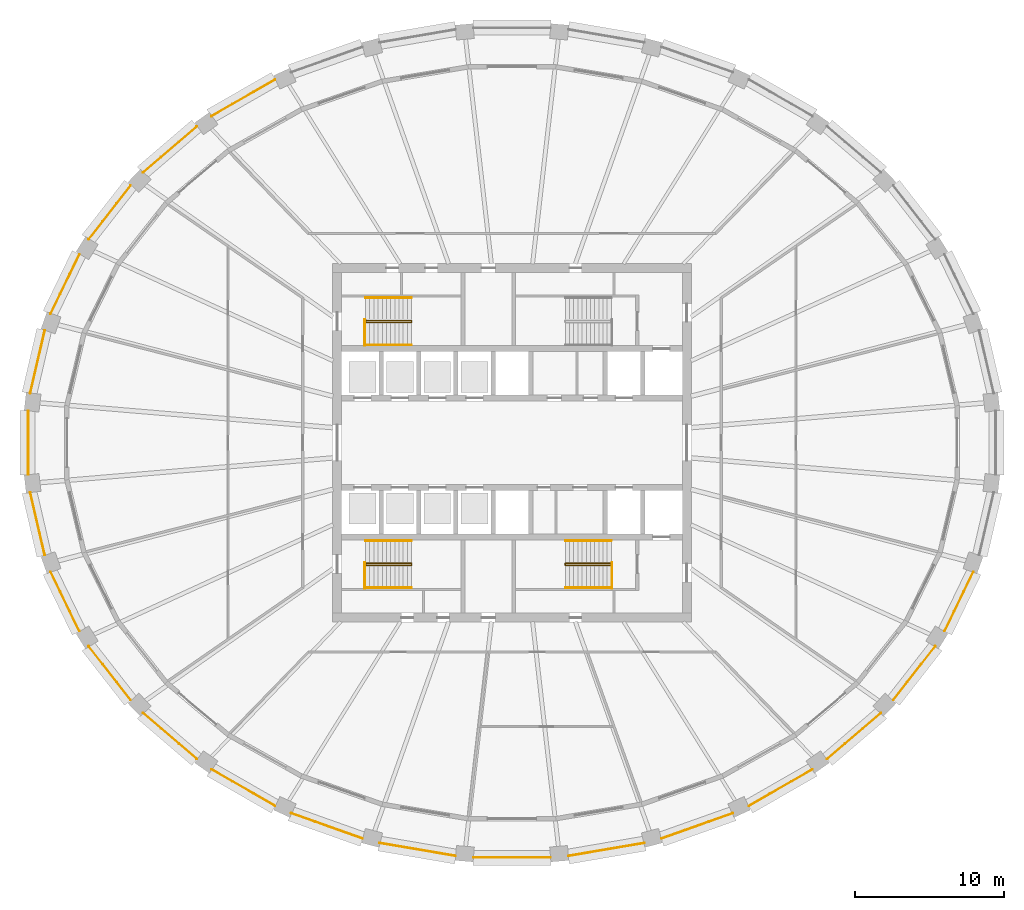
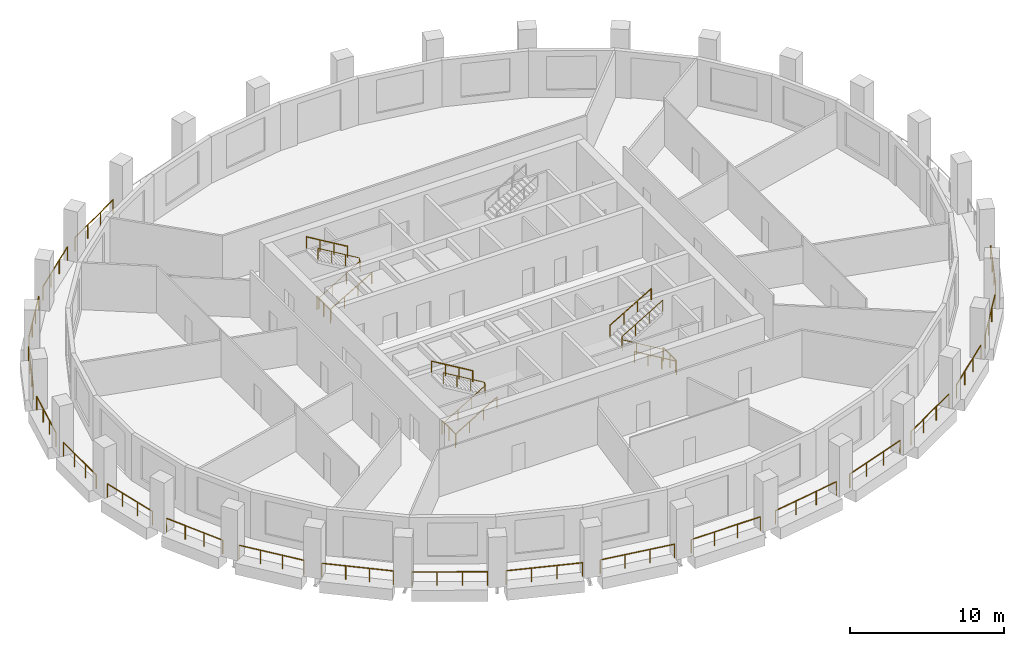
# One storey, part 8 of 10: 32 railings.
"""IFC4 building model written with IfcOpenShell, lengths in metres."""

from ifc_helpers import new_model, si_unit, direction, frame, origin, origin_2d, place, context, subcontext, project, spatial, circle, extrude, material, type_object, element, save


model = new_model("IFC4")

# Units and contexts
model_context = context("Model", 3, precision=1e-05, world=origin(), true_north=direction((0.0, 1.0)))
body_context = subcontext(model_context, "Body", "Model", "MODEL_VIEW")
ifc_project = project(units=[si_unit("LENGTHUNIT", "METRE"), si_unit("AREAUNIT", "SQUARE_METRE"), si_unit("VOLUMEUNIT", "CUBIC_METRE"), si_unit("PLANEANGLEUNIT", "RADIAN"), si_unit("MASSUNIT", "GRAM", prefix="KILO")], contexts=[model_context])

# Site, building, storey
site_placement = place(None, origin())
site = spatial("IfcSite", under=ifc_project, at=site_placement, CompositionType="ELEMENT")
building_placement = place(site_placement, origin())
building = spatial("IfcBuilding", under=site, at=building_placement, Name="Halqa Exchange Tower", CompositionType="ELEMENT")
storey_placement = place(building_placement, frame((0.0, 0.0, 198.89990234375)))
storey = spatial("IfcBuildingStorey", under=building, at=storey_placement, Name="L45", CompositionType="ELEMENT", Elevation=198.89990234375)

# Railings
ifc_material = material(Name="Stainless steel", Category="steel")
railing_type_1 = type_object("IfcRailingType", Name="Guard 1100 stainless steel", PredefinedType="GUARDRAIL", material=ifc_material)
railing_1_placement = place(storey_placement, frame((-15.856201171875, 24.293701171875, 0.0)))
element("IfcRailing", 1, at=railing_1_placement, inside=storey, type_object=railing_type_1, Name="Loggia guard 11", PredefinedType="GUARDRAIL", context=body_context, shape_type="SweptSolid", body=[
    extrude(circle(Radius=0.02392578125, at=origin_2d()), frame((0.0, 0.0, 1.076171875), z_axis=(-0.867753174329, -0.496995400825, 0.0), x_axis=(0.496995400825, -0.867753174329, 0.0)), (0.0, 0.0, 1.0), 4.910400390625),
    extrude(circle(Radius=0.02099609375, at=origin_2d()), origin(), (0.0, 0.0, 1.0), 1.052001953125),
    extrude(circle(Radius=0.02099609375, at=origin_2d()), frame((-1.42041015625, -0.8134765625, 0.0)), (0.0, 0.0, 1.0), 1.052001953125),
    extrude(circle(Radius=0.02099609375, at=origin_2d()), frame((-2.840576171875, -1.626953125, 0.0)), (0.0, 0.0, 1.0), 1.052001953125),
    extrude(circle(Radius=0.02099609375, at=origin_2d()), frame((-4.260986328125, -2.4404296875, 0.0)), (0.0, 0.0, 1.0), 1.052001953125),
])
railing_2_placement = place(storey_placement, frame((-21.093505859375, 21.16455078125, 0.0)))
element("IfcRailing", 2, at=railing_2_placement, inside=storey, type_object=railing_type_1, Name="Loggia guard 12", PredefinedType="GUARDRAIL", context=body_context, shape_type="SweptSolid", body=[
    extrude(circle(Radius=0.02392578125, at=origin_2d()), frame((0.0, 0.0, 1.076171875), z_axis=(-0.759242057483, -0.650808342102, 0.0), x_axis=(0.650808342102, -0.759242057483, 0.0)), (0.0, 0.0, 1.0), 4.739501953125),
    extrude(circle(Radius=0.02099609375, at=origin_2d()), origin(), (0.0, 0.0, 1.0), 1.052001953125),
    extrude(circle(Radius=0.02099609375, at=origin_2d()), frame((-1.199462890625, -1.028076171875, 0.0)), (0.0, 0.0, 1.0), 1.052001953125),
    extrude(circle(Radius=0.02099609375, at=origin_2d()), frame((-2.39892578125, -2.056396484375, 0.0)), (0.0, 0.0, 1.0), 1.052001953125),
    extrude(circle(Radius=0.02099609375, at=origin_2d()), frame((-3.598388671875, -3.08447265625, 0.0)), (0.0, 0.0, 1.0), 1.052001953125),
])
railing_3_placement = place(storey_placement, frame((-25.516357421875, 17.216552734375, 0.0)))
element("IfcRailing", 3, at=railing_3_placement, inside=storey, type_object=railing_type_1, Name="Loggia guard 13", PredefinedType="GUARDRAIL", context=body_context, shape_type="SweptSolid", body=[
    extrude(circle(Radius=0.02392578125, at=origin_2d()), frame((0.0, 0.0, 1.076171875), z_axis=(-0.614792247558, -0.78868909739, 0.0), x_axis=(0.78868909739, -0.614792247558, 0.0)), (0.0, 0.0, 1.0), 4.562744140625),
    extrude(circle(Radius=0.02099609375, at=origin_2d()), origin(), (0.0, 0.0, 1.0), 1.052001953125),
    extrude(circle(Radius=0.02099609375, at=origin_2d()), frame((-0.93505859375, -1.199462890625, 0.0)), (0.0, 0.0, 1.0), 1.052001953125),
    extrude(circle(Radius=0.02099609375, at=origin_2d()), frame((-1.8701171875, -2.399169921875, 0.0)), (0.0, 0.0, 1.0), 1.052001953125),
    extrude(circle(Radius=0.02099609375, at=origin_2d()), frame((-2.80517578125, -3.5986328125, 0.0)), (0.0, 0.0, 1.0), 1.052001953125),
])
railing_4_placement = place(storey_placement, frame((-28.95166015625, 12.6044921875, 0.0)))
element("IfcRailing", 4, at=railing_4_placement, inside=storey, type_object=railing_type_1, Name="Loggia guard 14", PredefinedType="GUARDRAIL", context=body_context, shape_type="SweptSolid", body=[
    extrude(circle(Radius=0.02392578125, at=origin_2d()), frame((0.0, 0.0, 1.076171875), z_axis=(-0.43510207999, -0.900381130404, 0.0), x_axis=(0.900381130404, -0.43510207999, 0.0)), (0.0, 0.0, 1.0), 4.4091796875),
    extrude(circle(Radius=0.02099609375, at=origin_2d()), origin(), (0.0, 0.0, 1.0), 1.052001953125),
    extrude(circle(Radius=0.02099609375, at=origin_2d()), frame((-0.639404296875, -1.3232421875, 0.0)), (0.0, 0.0, 1.0), 1.052001953125),
    extrude(circle(Radius=0.02099609375, at=origin_2d()), frame((-1.279052734375, -2.646728515625, 0.0)), (0.0, 0.0, 1.0), 1.052001953125),
    extrude(circle(Radius=0.02099609375, at=origin_2d()), frame((-1.91845703125, -3.969970703125, 0.0)), (0.0, 0.0, 1.0), 1.052001953125),
])
railing_5_placement = place(storey_placement, frame((-31.2666015625, 7.510009765625, 0.0)))
element("IfcRailing", 5, at=railing_5_placement, inside=storey, type_object=railing_type_1, Name="Loggia guard 15", PredefinedType="GUARDRAIL", context=body_context, shape_type="SweptSolid", body=[
    extrude(circle(Radius=0.02392578125, at=origin_2d()), frame((0.0, 0.0, 1.076171875), z_axis=(-0.226056656747, -0.974114155497, 0.0), x_axis=(0.974114155497, -0.226056656747, 0.0)), (0.0, 0.0, 1.0), 4.3037109375),
    extrude(circle(Radius=0.02099609375, at=origin_2d()), origin(), (0.0, 0.0, 1.0), 1.052001953125),
    extrude(circle(Radius=0.02099609375, at=origin_2d()), frame((-0.32421875, -1.3974609375, 0.0)), (0.0, 0.0, 1.0), 1.052001953125),
    extrude(circle(Radius=0.02099609375, at=origin_2d()), frame((-0.648681640625, -2.794921875, 0.0)), (0.0, 0.0, 1.0), 1.052001953125),
    extrude(circle(Radius=0.02099609375, at=origin_2d()), frame((-0.972900390625, -4.1923828125, 0.0)), (0.0, 0.0, 1.0), 1.052001953125),
])
railing_6_placement = place(storey_placement, frame((-32.375244140625, 2.13330078125, 0.0)))
element("IfcRailing", 6, at=railing_6_placement, inside=storey, type_object=railing_type_1, Name="Loggia guard 16", PredefinedType="GUARDRAIL", context=body_context, shape_type="SweptSolid", body=[
    extrude(circle(Radius=0.02392578125, at=origin_2d()), frame((0.0, 0.0, 1.076171875), z_axis=(0.0, -1.0, 0.0), x_axis=(1.0, 0.0, 0.0)), (0.0, 0.0, 1.0), 4.2666015625),
    extrude(circle(Radius=0.02099609375, at=origin_2d()), origin(), (0.0, 0.0, 1.0), 1.052001953125),
    extrude(circle(Radius=0.02099609375, at=origin_2d()), frame((0.0, -1.422119140625, 0.0)), (0.0, 0.0, 1.0), 1.052001953125),
    extrude(circle(Radius=0.02099609375, at=origin_2d()), frame((0.0, -2.844482421875, 0.0)), (0.0, 0.0, 1.0), 1.052001953125),
    extrude(circle(Radius=0.02099609375, at=origin_2d()), frame((0.0, -4.2666015625, 0.0)), (0.0, 0.0, 1.0), 1.052001953125),
])
railing_7_placement = place(storey_placement, frame((-32.239501953125, -3.317626953125, 0.0)))
element("IfcRailing", 7, at=railing_7_placement, inside=storey, type_object=railing_type_1, Name="Loggia guard 17", PredefinedType="GUARDRAIL", context=body_context, shape_type="SweptSolid", body=[
    extrude(circle(Radius=0.02392578125, at=origin_2d()), frame((0.0, 0.0, 1.076171875), z_axis=(0.226056656747, -0.974114155497, 0.0), x_axis=(0.974114155497, 0.226056656747, 0.0)), (0.0, 0.0, 1.0), 4.3037109375),
    extrude(circle(Radius=0.02099609375, at=origin_2d()), origin(), (0.0, 0.0, 1.0), 1.052001953125),
    extrude(circle(Radius=0.02099609375, at=origin_2d()), frame((0.32421875, -1.3974609375, 0.0)), (0.0, 0.0, 1.0), 1.052001953125),
    extrude(circle(Radius=0.02099609375, at=origin_2d()), frame((0.648681640625, -2.794921875, 0.0)), (0.0, 0.0, 1.0), 1.052001953125),
    extrude(circle(Radius=0.02099609375, at=origin_2d()), frame((0.972900390625, -4.1923828125, 0.0)), (0.0, 0.0, 1.0), 1.052001953125),
])
railing_8_placement = place(storey_placement, frame((-30.8701171875, -8.634521484375, 0.0)))
element("IfcRailing", 8, at=railing_8_placement, inside=storey, type_object=railing_type_1, Name="Loggia guard 18", PredefinedType="GUARDRAIL", context=body_context, shape_type="SweptSolid", body=[
    extrude(circle(Radius=0.02392578125, at=origin_2d()), frame((0.0, 0.0, 1.076171875), z_axis=(0.43510207999, -0.900381130404, 0.0), x_axis=(0.900381130404, 0.43510207999, 0.0)), (0.0, 0.0, 1.0), 4.4091796875),
    extrude(circle(Radius=0.02099609375, at=origin_2d()), origin(), (0.0, 0.0, 1.0), 1.052001953125),
    extrude(circle(Radius=0.02099609375, at=origin_2d()), frame((0.639404296875, -1.3232421875, 0.0)), (0.0, 0.0, 1.0), 1.052001953125),
    extrude(circle(Radius=0.02099609375, at=origin_2d()), frame((1.279052734375, -2.646728515625, 0.0)), (0.0, 0.0, 1.0), 1.052001953125),
    extrude(circle(Radius=0.02099609375, at=origin_2d()), frame((1.91845703125, -3.969970703125, 0.0)), (0.0, 0.0, 1.0), 1.052001953125),
])
railing_9_placement = place(storey_placement, frame((-28.321533203125, -13.617919921875, 0.0)))
element("IfcRailing", 9, at=railing_9_placement, inside=storey, type_object=railing_type_1, Name="Loggia guard 19", PredefinedType="GUARDRAIL", context=body_context, shape_type="SweptSolid", body=[
    extrude(circle(Radius=0.02392578125, at=origin_2d()), frame((0.0, 0.0, 1.076171875), z_axis=(0.614792247558, -0.78868909739, 0.0), x_axis=(0.78868909739, 0.614792247558, 0.0)), (0.0, 0.0, 1.0), 4.562744140625),
    extrude(circle(Radius=0.02099609375, at=origin_2d()), origin(), (0.0, 0.0, 1.0), 1.052001953125),
    extrude(circle(Radius=0.02099609375, at=origin_2d()), frame((0.93505859375, -1.199462890625, 0.0)), (0.0, 0.0, 1.0), 1.052001953125),
    extrude(circle(Radius=0.02099609375, at=origin_2d()), frame((1.8701171875, -2.399169921875, 0.0)), (0.0, 0.0, 1.0), 1.052001953125),
    extrude(circle(Radius=0.02099609375, at=origin_2d()), frame((2.80517578125, -3.5986328125, 0.0)), (0.0, 0.0, 1.0), 1.052001953125),
])
railing_10_placement = place(storey_placement, frame((-24.69189453125, -18.080078125, 0.0)))
element("IfcRailing", 10, at=railing_10_placement, inside=storey, type_object=railing_type_1, Name="Loggia guard 20", PredefinedType="GUARDRAIL", context=body_context, shape_type="SweptSolid", body=[
    extrude(circle(Radius=0.02392578125, at=origin_2d()), frame((0.0, 0.0, 1.076171875), z_axis=(0.759242057483, -0.650808342102, 0.0), x_axis=(0.650808342102, 0.759242057483, 0.0)), (0.0, 0.0, 1.0), 4.739501953125),
    extrude(circle(Radius=0.02099609375, at=origin_2d()), origin(), (0.0, 0.0, 1.0), 1.052001953125),
    extrude(circle(Radius=0.02099609375, at=origin_2d()), frame((1.199462890625, -1.028076171875, 0.0)), (0.0, 0.0, 1.0), 1.052001953125),
    extrude(circle(Radius=0.02099609375, at=origin_2d()), frame((2.39892578125, -2.056396484375, 0.0)), (0.0, 0.0, 1.0), 1.052001953125),
    extrude(circle(Radius=0.02099609375, at=origin_2d()), frame((3.598388671875, -3.08447265625, 0.0)), (0.0, 0.0, 1.0), 1.052001953125),
])
railing_11_placement = place(storey_placement, frame((-20.1171875, -21.853271484375, 0.0)))
element("IfcRailing", 11, at=railing_11_placement, inside=storey, type_object=railing_type_1, Name="Loggia guard 21", PredefinedType="GUARDRAIL", context=body_context, shape_type="SweptSolid", body=[
    extrude(circle(Radius=0.02392578125, at=origin_2d()), frame((0.0, 0.0, 1.076171875), z_axis=(0.867753174329, -0.496995400825, 0.0), x_axis=(0.496995400825, 0.867753174329, 0.0)), (0.0, 0.0, 1.0), 4.910400390625),
    extrude(circle(Radius=0.02099609375, at=origin_2d()), origin(), (0.0, 0.0, 1.0), 1.052001953125),
    extrude(circle(Radius=0.02099609375, at=origin_2d()), frame((1.42041015625, -0.8134765625, 0.0)), (0.0, 0.0, 1.0), 1.052001953125),
    extrude(circle(Radius=0.02099609375, at=origin_2d()), frame((2.840576171875, -1.626953125, 0.0)), (0.0, 0.0, 1.0), 1.052001953125),
    extrude(circle(Radius=0.02099609375, at=origin_2d()), frame((4.260986328125, -2.4404296875, 0.0)), (0.0, 0.0, 1.0), 1.052001953125),
])
railing_12_placement = place(storey_placement, frame((-14.77001953125, -24.792724609375, 0.0)))
element("IfcRailing", 12, at=railing_12_placement, inside=storey, type_object=railing_type_1, Name="Loggia guard 22", PredefinedType="GUARDRAIL", context=body_context, shape_type="SweptSolid", body=[
    extrude(circle(Radius=0.02392578125, at=origin_2d()), frame((0.0, 0.0, 1.076171875), z_axis=(0.942362387643, -0.334593978362, 0.0), x_axis=(0.334593978362, 0.942362387643, 0.0)), (0.0, 0.0, 1.0), 5.05224609375),
    extrude(circle(Radius=0.02099609375, at=origin_2d()), origin(), (0.0, 0.0, 1.0), 1.052001953125),
    extrude(circle(Radius=0.02099609375, at=origin_2d()), frame((1.5869140625, -0.5634765625, 0.0)), (0.0, 0.0, 1.0), 1.052001953125),
    extrude(circle(Radius=0.02099609375, at=origin_2d()), frame((3.174072265625, -1.126953125, 0.0)), (0.0, 0.0, 1.0), 1.052001953125),
    extrude(circle(Radius=0.02099609375, at=origin_2d()), frame((4.760986328125, -1.6904296875, 0.0)), (0.0, 0.0, 1.0), 1.052001953125),
])
railing_13_placement = place(storey_placement, frame((-8.85205078125, -26.78466796875, 0.0)))
element("IfcRailing", 13, at=railing_13_placement, inside=storey, type_object=railing_type_1, Name="Loggia guard 23", PredefinedType="GUARDRAIL", context=body_context, shape_type="SweptSolid", body=[
    extrude(circle(Radius=0.02392578125, at=origin_2d()), frame((0.0, 0.0, 1.076171875), z_axis=(0.985774033556, -0.168076038647, 0.0), x_axis=(0.168076038647, 0.985774033556, 0.0)), (0.0, 0.0, 1.0), 5.14501953125),
    extrude(circle(Radius=0.02099609375, at=origin_2d()), origin(), (0.0, 0.0, 1.0), 1.052001953125),
    extrude(circle(Radius=0.02099609375, at=origin_2d()), frame((1.690673828125, -0.288330078125, 0.0)), (0.0, 0.0, 1.0), 1.052001953125),
    extrude(circle(Radius=0.02099609375, at=origin_2d()), frame((3.381103515625, -0.576416015625, 0.0)), (0.0, 0.0, 1.0), 1.052001953125),
    extrude(circle(Radius=0.02099609375, at=origin_2d()), frame((5.07177734375, -0.86474609375, 0.0)), (0.0, 0.0, 1.0), 1.052001953125),
])
railing_14_placement = place(storey_placement, frame((-2.588623046875, -27.750244140625, 0.0)))
element("IfcRailing", 14, at=railing_14_placement, inside=storey, type_object=railing_type_1, Name="Loggia guard 24", PredefinedType="GUARDRAIL", context=body_context, shape_type="SweptSolid", body=[
    extrude(circle(Radius=0.02392578125, at=origin_2d()), frame((0.0, 0.0, 1.076171875), z_axis=(1.0, 0.0, 0.0), x_axis=(0.0, 1.0, 0.0)), (0.0, 0.0, 1.0), 5.17724609375),
    extrude(circle(Radius=0.02099609375, at=origin_2d()), origin(), (0.0, 0.0, 1.0), 1.052001953125),
    extrude(circle(Radius=0.02099609375, at=origin_2d()), frame((1.725830078125, 0.0, 0.0)), (0.0, 0.0, 1.0), 1.052001953125),
    extrude(circle(Radius=0.02099609375, at=origin_2d()), frame((3.451416015625, 0.0, 0.0)), (0.0, 0.0, 1.0), 1.052001953125),
    extrude(circle(Radius=0.02099609375, at=origin_2d()), frame((5.17724609375, 0.0, 0.0)), (0.0, 0.0, 1.0), 1.052001953125),
])
railing_15_placement = place(storey_placement, frame((3.7802734375, -27.6494140625, 0.0)))
element("IfcRailing", 15, at=railing_15_placement, inside=storey, type_object=railing_type_1, Name="Loggia guard 25", PredefinedType="GUARDRAIL", context=body_context, shape_type="SweptSolid", body=[
    extrude(circle(Radius=0.02392578125, at=origin_2d()), frame((0.0, 0.0, 1.076171875), z_axis=(0.985774033556, 0.168076038647, 0.0), x_axis=(-0.168076038647, 0.985774033556, 0.0)), (0.0, 0.0, 1.0), 5.14501953125),
    extrude(circle(Radius=0.02099609375, at=origin_2d()), origin(), (0.0, 0.0, 1.0), 1.052001953125),
    extrude(circle(Radius=0.02099609375, at=origin_2d()), frame((1.690673828125, 0.288330078125, 0.0)), (0.0, 0.0, 1.0), 1.052001953125),
    extrude(circle(Radius=0.02099609375, at=origin_2d()), frame((3.381103515625, 0.576416015625, 0.0)), (0.0, 0.0, 1.0), 1.052001953125),
    extrude(circle(Radius=0.02099609375, at=origin_2d()), frame((5.07177734375, 0.86474609375, 0.0)), (0.0, 0.0, 1.0), 1.052001953125),
])
railing_16_placement = place(storey_placement, frame((10.009033203125, -26.483154296875, 0.0)))
element("IfcRailing", 16, at=railing_16_placement, inside=storey, type_object=railing_type_1, Name="Loggia guard 26", PredefinedType="GUARDRAIL", context=body_context, shape_type="SweptSolid", body=[
    extrude(circle(Radius=0.02392578125, at=origin_2d()), frame((0.0, 0.0, 1.076171875), z_axis=(0.942362387643, 0.334593978362, 0.0), x_axis=(-0.334593978362, 0.942362387643, 0.0)), (0.0, 0.0, 1.0), 5.05224609375),
    extrude(circle(Radius=0.02099609375, at=origin_2d()), origin(), (0.0, 0.0, 1.0), 1.052001953125),
    extrude(circle(Radius=0.02099609375, at=origin_2d()), frame((1.5869140625, 0.5634765625, 0.0)), (0.0, 0.0, 1.0), 1.052001953125),
    extrude(circle(Radius=0.02099609375, at=origin_2d()), frame((3.174072265625, 1.126953125, 0.0)), (0.0, 0.0, 1.0), 1.052001953125),
    extrude(circle(Radius=0.02099609375, at=origin_2d()), frame((4.760986328125, 1.6904296875, 0.0)), (0.0, 0.0, 1.0), 1.052001953125),
])
railing_17_placement = place(storey_placement, frame((15.856201171875, -24.293701171875, 0.0)))
element("IfcRailing", 17, at=railing_17_placement, inside=storey, type_object=railing_type_1, Name="Loggia guard 27", PredefinedType="GUARDRAIL", context=body_context, shape_type="SweptSolid", body=[
    extrude(circle(Radius=0.02392578125, at=origin_2d()), frame((0.0, 0.0, 1.076171875), z_axis=(0.867753174329, 0.496995400825, 0.0), x_axis=(-0.496995400825, 0.867753174329, 0.0)), (0.0, 0.0, 1.0), 4.910400390625),
    extrude(circle(Radius=0.02099609375, at=origin_2d()), origin(), (0.0, 0.0, 1.0), 1.052001953125),
    extrude(circle(Radius=0.02099609375, at=origin_2d()), frame((1.42041015625, 0.8134765625, 0.0)), (0.0, 0.0, 1.0), 1.052001953125),
    extrude(circle(Radius=0.02099609375, at=origin_2d()), frame((2.840576171875, 1.626953125, 0.0)), (0.0, 0.0, 1.0), 1.052001953125),
    extrude(circle(Radius=0.02099609375, at=origin_2d()), frame((4.260986328125, 2.4404296875, 0.0)), (0.0, 0.0, 1.0), 1.052001953125),
])
railing_18_placement = place(storey_placement, frame((21.093505859375, -21.16455078125, 0.0)))
element("IfcRailing", 18, at=railing_18_placement, inside=storey, type_object=railing_type_1, Name="Loggia guard 28", PredefinedType="GUARDRAIL", context=body_context, shape_type="SweptSolid", body=[
    extrude(circle(Radius=0.02392578125, at=origin_2d()), frame((0.0, 0.0, 1.076171875), z_axis=(0.759242057483, 0.650808342102, 0.0), x_axis=(-0.650808342102, 0.759242057483, 0.0)), (0.0, 0.0, 1.0), 4.739501953125),
    extrude(circle(Radius=0.02099609375, at=origin_2d()), origin(), (0.0, 0.0, 1.0), 1.052001953125),
    extrude(circle(Radius=0.02099609375, at=origin_2d()), frame((1.199462890625, 1.028076171875, 0.0)), (0.0, 0.0, 1.0), 1.052001953125),
    extrude(circle(Radius=0.02099609375, at=origin_2d()), frame((2.39892578125, 2.056396484375, 0.0)), (0.0, 0.0, 1.0), 1.052001953125),
    extrude(circle(Radius=0.02099609375, at=origin_2d()), frame((3.598388671875, 3.08447265625, 0.0)), (0.0, 0.0, 1.0), 1.052001953125),
])
railing_19_placement = place(storey_placement, frame((25.516357421875, -17.216552734375, 0.0)))
element("IfcRailing", 19, at=railing_19_placement, inside=storey, type_object=railing_type_1, Name="Loggia guard 29", PredefinedType="GUARDRAIL", context=body_context, shape_type="SweptSolid", body=[
    extrude(circle(Radius=0.02392578125, at=origin_2d()), frame((0.0, 0.0, 1.076171875), z_axis=(0.614792247558, 0.78868909739, 0.0), x_axis=(-0.78868909739, 0.614792247558, 0.0)), (0.0, 0.0, 1.0), 4.562744140625),
    extrude(circle(Radius=0.02099609375, at=origin_2d()), origin(), (0.0, 0.0, 1.0), 1.052001953125),
    extrude(circle(Radius=0.02099609375, at=origin_2d()), frame((0.93505859375, 1.199462890625, 0.0)), (0.0, 0.0, 1.0), 1.052001953125),
    extrude(circle(Radius=0.02099609375, at=origin_2d()), frame((1.8701171875, 2.399169921875, 0.0)), (0.0, 0.0, 1.0), 1.052001953125),
    extrude(circle(Radius=0.02099609375, at=origin_2d()), frame((2.80517578125, 3.5986328125, 0.0)), (0.0, 0.0, 1.0), 1.052001953125),
])
railing_20_placement = place(storey_placement, frame((28.95166015625, -12.6044921875, 0.0)))
element("IfcRailing", 20, at=railing_20_placement, inside=storey, type_object=railing_type_1, Name="Loggia guard 30", PredefinedType="GUARDRAIL", context=body_context, shape_type="SweptSolid", body=[
    extrude(circle(Radius=0.02392578125, at=origin_2d()), frame((0.0, 0.0, 1.076171875), z_axis=(0.43510207999, 0.900381130404, 0.0), x_axis=(-0.900381130404, 0.43510207999, 0.0)), (0.0, 0.0, 1.0), 4.4091796875),
    extrude(circle(Radius=0.02099609375, at=origin_2d()), origin(), (0.0, 0.0, 1.0), 1.052001953125),
    extrude(circle(Radius=0.02099609375, at=origin_2d()), frame((0.639404296875, 1.3232421875, 0.0)), (0.0, 0.0, 1.0), 1.052001953125),
    extrude(circle(Radius=0.02099609375, at=origin_2d()), frame((1.279052734375, 2.646728515625, 0.0)), (0.0, 0.0, 1.0), 1.052001953125),
    extrude(circle(Radius=0.02099609375, at=origin_2d()), frame((1.91845703125, 3.969970703125, 0.0)), (0.0, 0.0, 1.0), 1.052001953125),
])
railing_type_2 = type_object("IfcRailingType", Name="Stair handrail 900", PredefinedType="HANDRAIL", material=ifc_material)
railing_21_placement = place(storey_placement, frame((-9.800048828125, 8.06005859375, 0.166748046875)))
element("IfcRailing", 21, at=railing_21_placement, inside=storey, type_object=railing_type_2, Name="Handrail ST1.1", PredefinedType="HANDRAIL", context=body_context, shape_type="SweptSolid", body=[
    extrude(circle(Radius=0.02392578125, at=origin_2d()), frame((0.0, 0.0, 0.8759765625), z_axis=(0.859308565015, 0.0, 0.511457515432), x_axis=(0.0, 1.0, 0.0)), (0.0, 0.0, 1.0), 3.58447265625),
    extrude(circle(Radius=0.02392578125, at=origin_2d()), frame((3.080078125, 0.0, 2.708984375), z_axis=(0.0, 0.614500226555, 0.788916644243), x_axis=(-1.0, 0.0, 0.0)), (0.0, 0.0, 1.0), 0.21142578125),
    extrude(circle(Radius=0.02392578125, at=origin_2d()), frame((3.080078125, 0.1298828125, 2.8759765625), z_axis=(-0.859308565015, 0.0, 0.511457515432), x_axis=(0.0, -1.0, 0.0)), (0.0, 0.0, 1.0), 3.58447265625),
    extrude(circle(Radius=0.02099609375, at=origin_2d()), origin(), (0.0, 0.0, 1.0), 0.851806640625),
    extrude(circle(Radius=0.02099609375, at=origin_2d()), frame((1.026611328125, 0.0, 0.611083984375)), (0.0, 0.0, 1.0), 0.851806640625),
    extrude(circle(Radius=0.02099609375, at=origin_2d()), frame((2.053466796875, 0.0, 1.22216796875)), (0.0, 0.0, 1.0), 0.851806640625),
    extrude(circle(Radius=0.02099609375, at=origin_2d()), frame((3.080078125, 0.0, 1.833251953125)), (0.0, 0.0, 1.0), 0.851806640625),
    extrude(circle(Radius=0.02099609375, at=origin_2d()), frame((3.080078125, 0.1298828125, 2.0)), (0.0, 0.0, 1.0), 0.851806640625),
    extrude(circle(Radius=0.02099609375, at=origin_2d()), frame((2.053466796875, 0.1298828125, 2.611083984375)), (0.0, 0.0, 1.0), 0.851806640625),
    extrude(circle(Radius=0.02099609375, at=origin_2d()), frame((1.026611328125, 0.1298828125, 3.22216796875)), (0.0, 0.0, 1.0), 0.851806640625),
    extrude(circle(Radius=0.02099609375, at=origin_2d()), frame((0.0, 0.1298828125, 3.833251953125)), (0.0, 0.0, 1.0), 0.851806640625),
])
railing_22_placement = place(storey_placement, frame((-9.800048828125, 6.550048828125, 0.166748046875)))
element("IfcRailing", 22, at=railing_22_placement, inside=storey, type_object=railing_type_2, Name="Handrail ST1.2", PredefinedType="HANDRAIL", context=body_context, shape_type="SweptSolid", body=[
    extrude(circle(Radius=0.02392578125, at=origin_2d()), frame((0.0, 0.0, 0.8759765625), z_axis=(0.859308565015, 0.0, 0.511457515432), x_axis=(0.0, 1.0, 0.0)), (0.0, 0.0, 1.0), 3.58447265625),
    extrude(circle(Radius=0.02099609375, at=origin_2d()), origin(), (0.0, 0.0, 1.0), 0.851806640625),
    extrude(circle(Radius=0.02099609375, at=origin_2d()), frame((1.026611328125, 0.0, 0.611083984375)), (0.0, 0.0, 1.0), 0.851806640625),
    extrude(circle(Radius=0.02099609375, at=origin_2d()), frame((2.053466796875, 0.0, 1.22216796875)), (0.0, 0.0, 1.0), 0.851806640625),
    extrude(circle(Radius=0.02099609375, at=origin_2d()), frame((3.080078125, 0.0, 1.833251953125)), (0.0, 0.0, 1.0), 0.851806640625),
])
railing_23_placement = place(storey_placement, frame((-6.719970703125, 9.699951171875, 2.166748046875)))
element("IfcRailing", 23, at=railing_23_placement, inside=storey, type_object=railing_type_2, Name="Handrail ST1.3", PredefinedType="HANDRAIL", context=body_context, shape_type="SweptSolid", body=[
    extrude(circle(Radius=0.02392578125, at=origin_2d()), frame((0.0, 0.0, 0.8759765625), z_axis=(-0.859308565015, 0.0, 0.511457515432), x_axis=(0.0, -1.0, 0.0)), (0.0, 0.0, 1.0), 3.58447265625),
    extrude(circle(Radius=0.02099609375, at=origin_2d()), origin(), (0.0, 0.0, 1.0), 0.851806640625),
    extrude(circle(Radius=0.02099609375, at=origin_2d()), frame((-1.026611328125, 0.0, 0.611083984375)), (0.0, 0.0, 1.0), 0.851806640625),
    extrude(circle(Radius=0.02099609375, at=origin_2d()), frame((-2.053466796875, 0.0, 1.22216796875)), (0.0, 0.0, 1.0), 0.851806640625),
    extrude(circle(Radius=0.02099609375, at=origin_2d()), frame((-3.080078125, 0.0, 1.833251953125)), (0.0, 0.0, 1.0), 0.851806640625),
])
railing_24_placement = place(storey_placement, frame((-9.800048828125, -8.18994140625, 0.166748046875)))
element("IfcRailing", 24, at=railing_24_placement, inside=storey, type_object=railing_type_2, Name="Handrail ST3.1", PredefinedType="HANDRAIL", context=body_context, shape_type="SweptSolid", body=[
    extrude(circle(Radius=0.02392578125, at=origin_2d()), frame((0.0, 0.0, 0.8759765625), z_axis=(0.859308565015, 0.0, 0.511457515432), x_axis=(0.0, 1.0, 0.0)), (0.0, 0.0, 1.0), 3.58447265625),
    extrude(circle(Radius=0.02392578125, at=origin_2d()), frame((3.080078125, 0.0, 2.708984375), z_axis=(0.0, 0.614500226555, 0.788916644243), x_axis=(-1.0, 0.0, 0.0)), (0.0, 0.0, 1.0), 0.21142578125),
    extrude(circle(Radius=0.02392578125, at=origin_2d()), frame((3.080078125, 0.1298828125, 2.8759765625), z_axis=(-0.859308565015, 0.0, 0.511457515432), x_axis=(0.0, -1.0, 0.0)), (0.0, 0.0, 1.0), 3.58447265625),
    extrude(circle(Radius=0.02099609375, at=origin_2d()), origin(), (0.0, 0.0, 1.0), 0.851806640625),
    extrude(circle(Radius=0.02099609375, at=origin_2d()), frame((1.026611328125, 0.0, 0.611083984375)), (0.0, 0.0, 1.0), 0.851806640625),
    extrude(circle(Radius=0.02099609375, at=origin_2d()), frame((2.053466796875, 0.0, 1.22216796875)), (0.0, 0.0, 1.0), 0.851806640625),
    extrude(circle(Radius=0.02099609375, at=origin_2d()), frame((3.080078125, 0.0, 1.833251953125)), (0.0, 0.0, 1.0), 0.851806640625),
    extrude(circle(Radius=0.02099609375, at=origin_2d()), frame((3.080078125, 0.1298828125, 2.0)), (0.0, 0.0, 1.0), 0.851806640625),
    extrude(circle(Radius=0.02099609375, at=origin_2d()), frame((2.053466796875, 0.1298828125, 2.611083984375)), (0.0, 0.0, 1.0), 0.851806640625),
    extrude(circle(Radius=0.02099609375, at=origin_2d()), frame((1.026611328125, 0.1298828125, 3.22216796875)), (0.0, 0.0, 1.0), 0.851806640625),
    extrude(circle(Radius=0.02099609375, at=origin_2d()), frame((0.0, 0.1298828125, 3.833251953125)), (0.0, 0.0, 1.0), 0.851806640625),
])
railing_25_placement = place(storey_placement, frame((-9.800048828125, -9.699951171875, 0.166748046875)))
element("IfcRailing", 25, at=railing_25_placement, inside=storey, type_object=railing_type_2, Name="Handrail ST3.2", PredefinedType="HANDRAIL", context=body_context, shape_type="SweptSolid", body=[
    extrude(circle(Radius=0.02392578125, at=origin_2d()), frame((0.0, 0.0, 0.8759765625), z_axis=(0.859308565015, 0.0, 0.511457515432), x_axis=(0.0, 1.0, 0.0)), (0.0, 0.0, 1.0), 3.58447265625),
    extrude(circle(Radius=0.02099609375, at=origin_2d()), origin(), (0.0, 0.0, 1.0), 0.851806640625),
    extrude(circle(Radius=0.02099609375, at=origin_2d()), frame((1.026611328125, 0.0, 0.611083984375)), (0.0, 0.0, 1.0), 0.851806640625),
    extrude(circle(Radius=0.02099609375, at=origin_2d()), frame((2.053466796875, 0.0, 1.22216796875)), (0.0, 0.0, 1.0), 0.851806640625),
    extrude(circle(Radius=0.02099609375, at=origin_2d()), frame((3.080078125, 0.0, 1.833251953125)), (0.0, 0.0, 1.0), 0.851806640625),
])
railing_26_placement = place(storey_placement, frame((-6.719970703125, -6.550048828125, 2.166748046875)))
element("IfcRailing", 26, at=railing_26_placement, inside=storey, type_object=railing_type_2, Name="Handrail ST3.3", PredefinedType="HANDRAIL", context=body_context, shape_type="SweptSolid", body=[
    extrude(circle(Radius=0.02392578125, at=origin_2d()), frame((0.0, 0.0, 0.8759765625), z_axis=(-0.859308565015, 0.0, 0.511457515432), x_axis=(0.0, -1.0, 0.0)), (0.0, 0.0, 1.0), 3.58447265625),
    extrude(circle(Radius=0.02099609375, at=origin_2d()), origin(), (0.0, 0.0, 1.0), 0.851806640625),
    extrude(circle(Radius=0.02099609375, at=origin_2d()), frame((-1.026611328125, 0.0, 0.611083984375)), (0.0, 0.0, 1.0), 0.851806640625),
    extrude(circle(Radius=0.02099609375, at=origin_2d()), frame((-2.053466796875, 0.0, 1.22216796875)), (0.0, 0.0, 1.0), 0.851806640625),
    extrude(circle(Radius=0.02099609375, at=origin_2d()), frame((-3.080078125, 0.0, 1.833251953125)), (0.0, 0.0, 1.0), 0.851806640625),
])
railing_27_placement = place(storey_placement, frame((6.64990234375, -8.18994140625, 0.166748046875)))
element("IfcRailing", 27, at=railing_27_placement, inside=storey, type_object=railing_type_2, Name="Handrail ST4.1", PredefinedType="HANDRAIL", context=body_context, shape_type="SweptSolid", body=[
    extrude(circle(Radius=0.02392578125, at=origin_2d()), frame((0.0, 0.0, 0.8759765625), z_axis=(-0.859290745958, 0.0, 0.51148745235), x_axis=(0.0, -1.0, 0.0)), (0.0, 0.0, 1.0), 3.584228515625),
    extrude(circle(Radius=0.02392578125, at=origin_2d()), frame((-3.079833984375, 0.0, 2.708984375), z_axis=(0.0, 0.614500226555, 0.788916644243), x_axis=(-1.0, 0.0, 0.0)), (0.0, 0.0, 1.0), 0.21142578125),
    extrude(circle(Radius=0.02392578125, at=origin_2d()), frame((-3.079833984375, 0.1298828125, 2.8759765625), z_axis=(0.859290745958, 0.0, 0.51148745235), x_axis=(0.0, 1.0, 0.0)), (0.0, 0.0, 1.0), 3.584228515625),
    extrude(circle(Radius=0.02099609375, at=origin_2d()), origin(), (0.0, 0.0, 1.0), 0.851806640625),
    extrude(circle(Radius=0.02099609375, at=origin_2d()), frame((-1.026611328125, 0.0, 0.611083984375)), (0.0, 0.0, 1.0), 0.851806640625),
    extrude(circle(Radius=0.02099609375, at=origin_2d()), frame((-2.05322265625, 0.0, 1.22216796875)), (0.0, 0.0, 1.0), 0.851806640625),
    extrude(circle(Radius=0.02099609375, at=origin_2d()), frame((-3.079833984375, 0.0, 1.833251953125)), (0.0, 0.0, 1.0), 0.851806640625),
    extrude(circle(Radius=0.02099609375, at=origin_2d()), frame((-3.079833984375, 0.1298828125, 2.0)), (0.0, 0.0, 1.0), 0.851806640625),
    extrude(circle(Radius=0.02099609375, at=origin_2d()), frame((-2.05322265625, 0.1298828125, 2.611083984375)), (0.0, 0.0, 1.0), 0.851806640625),
    extrude(circle(Radius=0.02099609375, at=origin_2d()), frame((-1.026611328125, 0.1298828125, 3.22216796875)), (0.0, 0.0, 1.0), 0.851806640625),
    extrude(circle(Radius=0.02099609375, at=origin_2d()), frame((0.0, 0.1298828125, 3.833251953125)), (0.0, 0.0, 1.0), 0.851806640625),
])
railing_28_placement = place(storey_placement, frame((6.64990234375, -9.699951171875, 0.166748046875)))
element("IfcRailing", 28, at=railing_28_placement, inside=storey, type_object=railing_type_2, Name="Handrail ST4.2", PredefinedType="HANDRAIL", context=body_context, shape_type="SweptSolid", body=[
    extrude(circle(Radius=0.02392578125, at=origin_2d()), frame((0.0, 0.0, 0.8759765625), z_axis=(-0.859290745958, 0.0, 0.51148745235), x_axis=(0.0, -1.0, 0.0)), (0.0, 0.0, 1.0), 3.584228515625),
    extrude(circle(Radius=0.02099609375, at=origin_2d()), origin(), (0.0, 0.0, 1.0), 0.851806640625),
    extrude(circle(Radius=0.02099609375, at=origin_2d()), frame((-1.026611328125, 0.0, 0.611083984375)), (0.0, 0.0, 1.0), 0.851806640625),
    extrude(circle(Radius=0.02099609375, at=origin_2d()), frame((-2.05322265625, 0.0, 1.22216796875)), (0.0, 0.0, 1.0), 0.851806640625),
    extrude(circle(Radius=0.02099609375, at=origin_2d()), frame((-3.079833984375, 0.0, 1.833251953125)), (0.0, 0.0, 1.0), 0.851806640625),
])
railing_29_placement = place(storey_placement, frame((3.570068359375, -6.550048828125, 2.166748046875)))
element("IfcRailing", 29, at=railing_29_placement, inside=storey, type_object=railing_type_2, Name="Handrail ST4.3", PredefinedType="HANDRAIL", context=body_context, shape_type="SweptSolid", body=[
    extrude(circle(Radius=0.02392578125, at=origin_2d()), frame((0.0, 0.0, 0.8759765625), z_axis=(0.859290745958, 0.0, 0.51148745235), x_axis=(0.0, 1.0, 0.0)), (0.0, 0.0, 1.0), 3.584228515625),
    extrude(circle(Radius=0.02099609375, at=origin_2d()), origin(), (0.0, 0.0, 1.0), 0.851806640625),
    extrude(circle(Radius=0.02099609375, at=origin_2d()), frame((1.026611328125, 0.0, 0.611083984375)), (0.0, 0.0, 1.0), 0.851806640625),
    extrude(circle(Radius=0.02099609375, at=origin_2d()), frame((2.05322265625, 0.0, 1.22216796875)), (0.0, 0.0, 1.0), 0.851806640625),
    extrude(circle(Radius=0.02099609375, at=origin_2d()), frame((3.079833984375, 0.0, 1.833251953125)), (0.0, 0.0, 1.0), 0.851806640625),
])
railing_type_3 = type_object("IfcRailingType", Name="Stair well guard 1100", PredefinedType="GUARDRAIL", material=ifc_material)
for number, where, name in (
    (30, (-9.85009765625, 6.5, 0.0), "Guard ST1 well"),
    (31, (-9.85009765625, -9.75, 0.0), "Guard ST3 well"),
    (32, (6.699951171875, -9.75, 0.0), "Guard ST4 well"),
):
    element("IfcRailing", number, at=place(storey_placement, frame(where)), inside=storey, type_object=railing_type_3, Name=name, PredefinedType="GUARDRAIL", context=body_context, shape_type="SweptSolid", body=[
        extrude(circle(Radius=0.02392578125, at=origin_2d()), frame((0.0, 0.0, 1.076171875), z_axis=(0.0, 1.0, 0.0), x_axis=(-1.0, 0.0, 0.0)), (0.0, 0.0, 1.0), 1.75),
        extrude(circle(Radius=0.02099609375, at=origin_2d()), origin(), (0.0, 0.0, 1.0), 1.052001953125),
        extrude(circle(Radius=0.02099609375, at=origin_2d()), frame((0.0, 0.875, 0.0)), (0.0, 0.0, 1.0), 1.052001953125),
        extrude(circle(Radius=0.02099609375, at=origin_2d()), frame((0.0, 1.75, 0.0)), (0.0, 0.0, 1.0), 1.052001953125),
    ])

save(model, "model.ifc")
